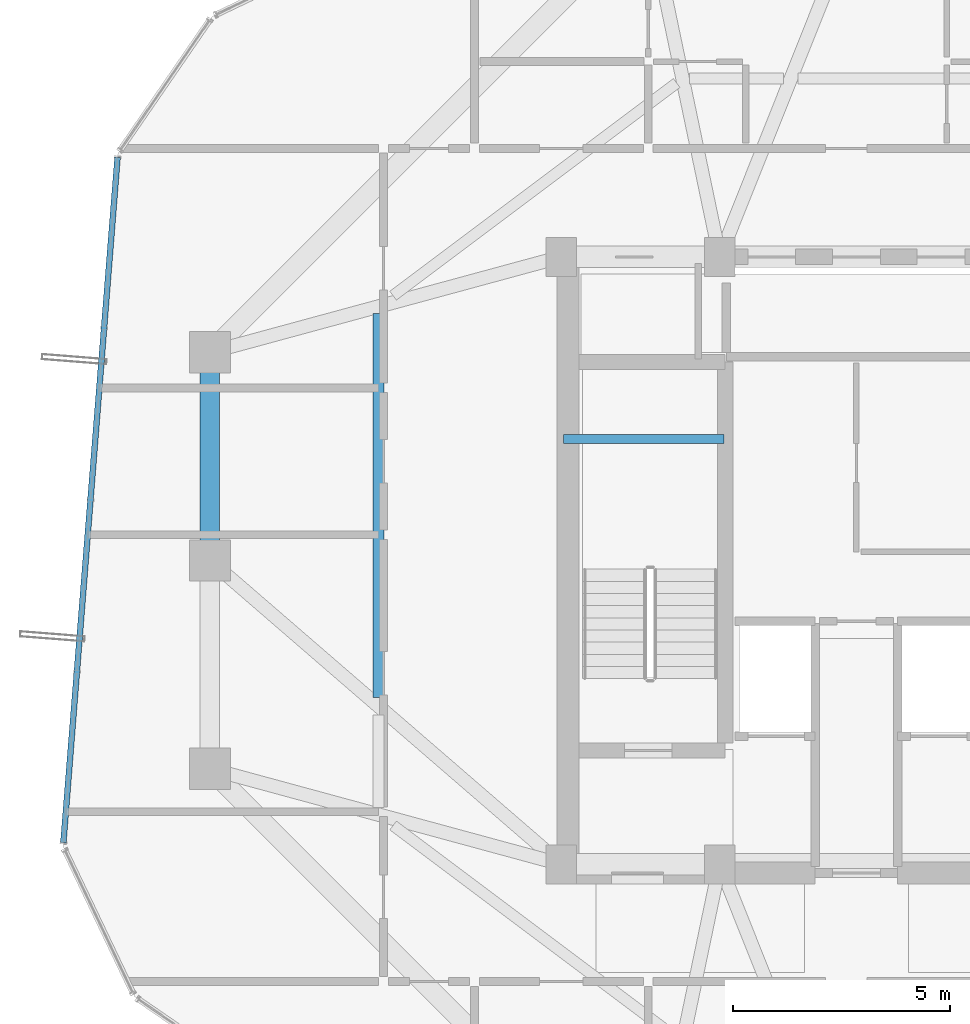
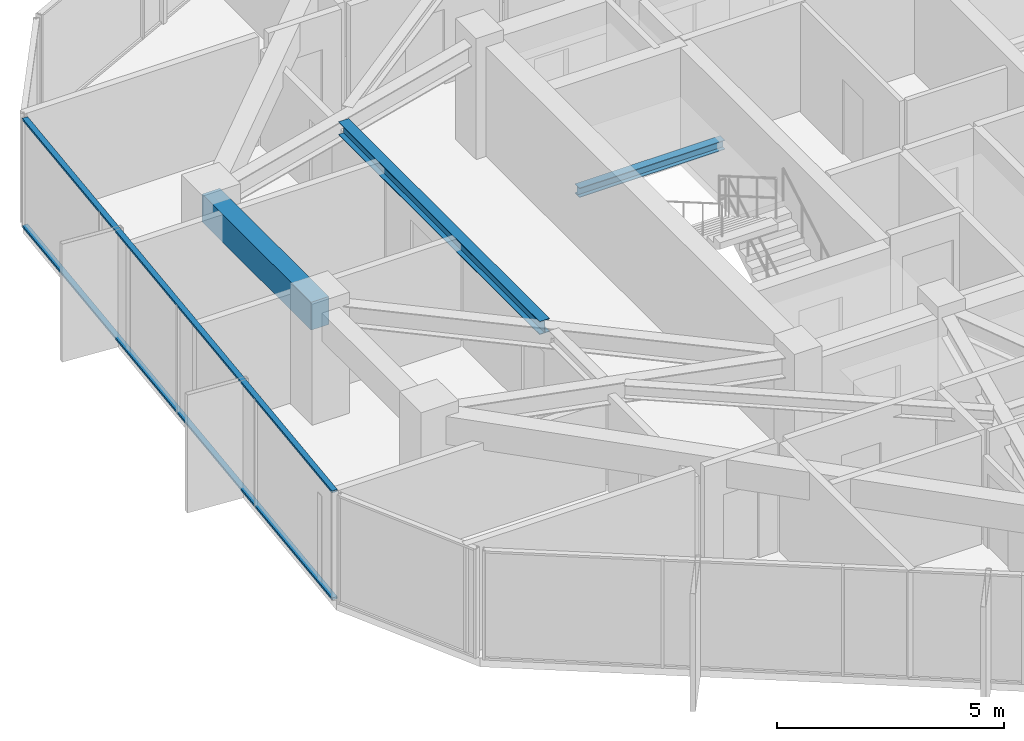
# One storey, part 11 of 29: 3 beams, 2 members, 1 element without a shape of its own.
"""IFC4 building model written with IfcOpenShell, lengths in metres."""

from ifc_helpers import new_model, si_unit, direction, frame, origin, origin_2d, place, context, subcontext, project, spatial, rectangle, hollow_rectangle, i_section, extrude, source, transform, mapped, material, layer, layer_set, material_profile, profile_set, type_object, element, aggregate, save


model = new_model("IFC4")

# Units and contexts
model_context = context("Model", 3, precision=1e-05, world=origin(), true_north=direction((0.0, 1.0)))
body_context = subcontext(model_context, "Body", "Model", "MODEL_VIEW")
ifc_project = project(units=[si_unit("LENGTHUNIT", "METRE"), si_unit("AREAUNIT", "SQUARE_METRE"), si_unit("VOLUMEUNIT", "CUBIC_METRE"), si_unit("PLANEANGLEUNIT", "RADIAN"), si_unit("MASSUNIT", "GRAM", prefix="KILO")], contexts=[model_context])

# Site, building, storey
site_placement = place(None, origin())
site = spatial("IfcSite", under=ifc_project, at=site_placement, CompositionType="ELEMENT")
building_placement = place(site_placement, origin())
building = spatial("IfcBuilding", under=site, at=building_placement, Name="Veraguas Prism Commons", CompositionType="ELEMENT")
storey_placement = place(building_placement, frame((0.0, 0.0, 222.14990234375)))
storey = spatial("IfcBuildingStorey", under=building, at=storey_placement, Name="L63", CompositionType="ELEMENT", Elevation=222.14990234375)

# Beams
ifc_material_1 = material(Name="Concrete C50/60", Category="concrete")
ifc_material_profile_1 = material_profile(ifc_material_1, rectangle(XDim=0.449951171875, YDim=0.75, at=origin_2d()), Name="RC450X750")
ifc_profile_set_1 = profile_set([ifc_material_profile_1], Name="Concrete C50/60")
beam_type_1 = type_object("IfcBeamType", Name="Perimeter Spandrel Upper RC 450x750", PredefinedType="SPANDREL", material=ifc_profile_set_1)
beam_1_placement = place(storey_placement, frame((9.10009765625, 28.800048828125, 2.55517578125), z_axis=(0.0, -1.0, 0.0), x_axis=(1.0, 0.0, 0.0)))
element("IfcBeam", 1, at=beam_1_placement, inside=storey, type_object=beam_type_1, Name="Perimeter Spandrel Beam L63-SP07", PredefinedType="SPANDREL", context=body_context, shape_type="SweptSolid", body=[
    extrude(rectangle(XDim=0.449951171875, YDim=0.75, at=origin_2d()), origin(), (0.0, 0.0, 1.0), 4.800048828125),
])
ifc_material_2 = material(Name="Steel ASTM A992 Grade 50", Category="steel")
ifc_material_profile_2 = material_profile(ifc_material_2, i_section(OverallWidth=0.202880859375, OverallDepth=0.251953125, WebThickness=0.008056640625, FlangeThickness=0.013427734375, at=origin_2d()), Name="W250X58")
ifc_profile_set_2 = profile_set([ifc_material_profile_2], Name="Steel ASTM A992 Grade 50")
beam_type_2 = type_object("IfcBeamType", Name="Structural Opening Lintel W250x58", PredefinedType="LINTEL", material=ifc_profile_set_2)
beam_2_placement = place(storey_placement, frame((17.25, 26.800048828125, 1.299072265625), z_axis=(1.0, 0.0, 0.0), x_axis=(0.0, 1.0, 0.0)))
element("IfcBeam", 2, at=beam_2_placement, inside=storey, type_object=beam_type_2, Name="Stair ST-01 Half-Landing Support Beam L63-1", PredefinedType="LINTEL", context=body_context, shape_type="SweptSolid", body=[
    extrude(i_section(OverallWidth=0.202880859375, OverallDepth=0.251953125, WebThickness=0.008056640625, FlangeThickness=0.013427734375, at=origin_2d()), origin(), (0.0, 0.0, 1.0), 3.699951171875),
])
ifc_material_profile_3 = material_profile(ifc_material_2, i_section(OverallWidth=0.25390625, OverallDepth=0.35302734375, WebThickness=0.009521484375, FlangeThickness=0.016357421875, at=origin_2d()), Name="W360X91")
ifc_profile_set_3 = profile_set([ifc_material_profile_3], Name="Steel ASTM A992 Grade 50")
beam_type_3 = type_object("IfcBeamType", Name="Upper Floor Joist W360x91", PredefinedType="JOIST", material=ifc_profile_set_3)
beam_3_placement = place(storey_placement, frame((12.988037109375, 29.697021484375, 2.753662109375), z_axis=(0.0, -1.0, 0.0), x_axis=(1.0, 0.0, 0.0)))
element("IfcBeam", 3, at=beam_3_placement, inside=storey, type_object=beam_type_3, Name="Composite Floor Joist L63-JS07", PredefinedType="JOIST", context=body_context, shape_type="SweptSolid", body=[
    extrude(i_section(OverallWidth=0.25390625, OverallDepth=0.35302734375, WebThickness=0.009521484375, FlangeThickness=0.016357421875, at=origin_2d()), origin(), (0.0, 0.0, 1.0), 8.85400390625),
])

# Curtain wall, members
ifc_material_3 = material(Name="Anodised aluminium EN AW-6063 T6", Category="aluminium")
ifc_layer = layer(ifc_material_3, 0.14990234375, Name="Unitised Flush Curtain Wall Zone 3", Category="aluminium")
ifc_layer_set = layer_set([ifc_layer], Name="Anodised aluminium EN AW-6063 T6")
curtain_wall_type = type_object("IfcCurtainWallType", Name="Unitised Flush Curtain Wall Zone 3", PredefinedType="NOTDEFINED", material=ifc_layer_set)
curtain_wall_placement = place(storey_placement, origin())
curtain_wall = element("IfcCurtainWall", 4, at=curtain_wall_placement, inside=storey, type_object=curtain_wall_type, Name="Tower Facade Curtain Wall L63-F3", PredefinedType="NOTDEFINED")
ifc_material_profile_4 = material_profile(ifc_material_3, hollow_rectangle(XDim=0.054931640625, YDim=0.135009765625, WallThickness=0.0029296875, at=origin_2d()), Name="AL55X135X3")
ifc_profile_set_4 = profile_set([ifc_material_profile_4], Name="Anodised aluminium EN AW-6063 T6")
member_type = type_object("IfcMemberType", Name="Curtain Wall Transom Standard AL 55x135x3", PredefinedType="USERDEFINED", material=ifc_profile_set_4)
shared_shape = source(origin(), body_context, "Body", "SweptSolid", [
    extrude(hollow_rectangle(XDim=0.054931640625, YDim=0.135009765625, WallThickness=0.0029296875, at=origin_2d()), origin(), (0.0, 0.0, 1.0), 15.842529296875),
])
member_1_placement = place(storey_placement, frame((6.96923828125, 33.292236328125, 0.027587890625), z_axis=(-0.078824602007, -0.996888500344, 0.0), x_axis=(0.0, 0.0, 1.0)))
member_1 = element("IfcMember", 5, at=member_1_placement, type_object=member_type, Name="CW-Z3 Transom 1", ObjectType="TRANSOM", PredefinedType="USERDEFINED", context=body_context, shape_type="MappedRepresentation", body=[
    mapped(shared_shape, transform((0.0, 0.0, 0.0), scale=1.0)),
])
member_2_placement = place(storey_placement, frame((6.96923828125, 33.292236328125, 2.902587890625), z_axis=(-0.078824602007, -0.996888500344, 0.0), x_axis=(0.0, 0.0, 1.0)))
member_2 = element("IfcMember", 6, at=member_2_placement, type_object=member_type, Name="CW-Z3 Transom 2", ObjectType="TRANSOM", PredefinedType="USERDEFINED", context=body_context, shape_type="MappedRepresentation", body=[
    mapped(shared_shape, transform((0.0, 0.0, 0.0), scale=1.0)),
])
aggregate(curtain_wall, [member_1, member_2])

save(model, "model.ifc")
